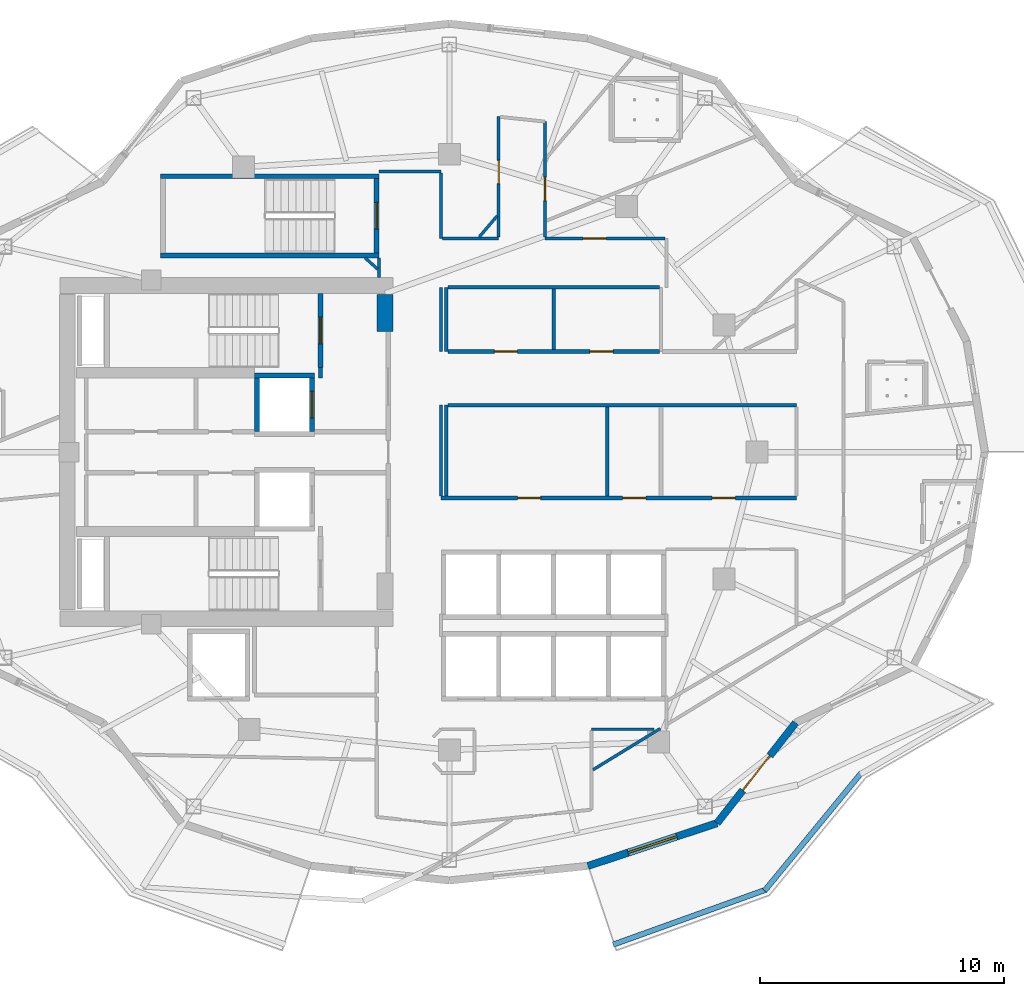
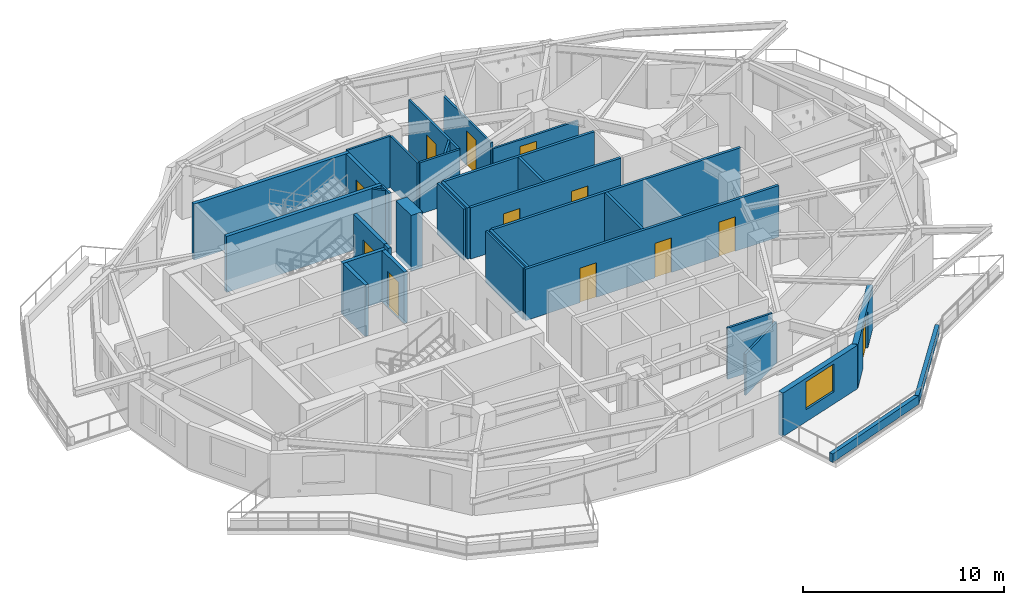
# One storey, part 5 of 10: 34 walls, 12 doors, 1 window, 13 openings.
"""IFC4 building model written with IfcOpenShell, lengths in metres."""

from ifc_helpers import new_model, si_unit, direction, frame, frame_2d, origin, place, context, subcontext, project, spatial, rectangle, extrude, material, layer, layer_set, type_object, element, fill, save


model = new_model("IFC4")

# Units and contexts
model_context = context("Model", 3, precision=1e-05, world=origin(), true_north=direction((0.0, 1.0)))
body_context = subcontext(model_context, "Body", "Model", "MODEL_VIEW")
ifc_project = project(units=[si_unit("LENGTHUNIT", "METRE"), si_unit("AREAUNIT", "SQUARE_METRE"), si_unit("VOLUMEUNIT", "CUBIC_METRE"), si_unit("PLANEANGLEUNIT", "RADIAN"), si_unit("MASSUNIT", "GRAM", prefix="KILO")], contexts=[model_context])

# Site, building, storey
site_placement = place(None, origin())
site = spatial("IfcSite", under=ifc_project, at=site_placement, CompositionType="ELEMENT")
building_placement = place(site_placement, origin())
building = spatial("IfcBuilding", under=site, at=building_placement, Name="Kolvaren Gate Tower and Convention Centre", CompositionType="ELEMENT")
storey_placement = place(building_placement, frame((0.0, 0.0, 146.10009765625)))
storey = spatial("IfcBuildingStorey", under=building, at=storey_placement, Name="L37", CompositionType="ELEMENT", Elevation=146.10009765625)

# Walls
ifc_material_1 = material(Name="Autoclaved Aerated Masonry Blockwork Class 4 (4.0 MPa)", Category="masonry")
ifc_layer_1 = layer(ifc_material_1, 0.179931640625)
ifc_layer_set_1 = layer_set([ifc_layer_1], Name="Autoclaved Aerated Masonry Blockwork Class 4 (4.0 MPa)")
wall_type_1 = type_object("IfcWallType", Name="ARCH-WL-COMP-180", PredefinedType="SOLIDWALL", material=ifc_layer_set_1)
wall_1_placement = place(storey_placement, frame((24.85009765625, 30.0400390625, 0.0), z_axis=(0.0, 0.0, 1.0), x_axis=(0.0, 1.0, 0.0)))
element("IfcWall", 1, at=wall_1_placement, inside=storey, type_object=wall_type_1, Name="Interior Partition WL-L37-INT-002", PredefinedType="SOLIDWALL", context=body_context, shape_type="SweptSolid", body=[
    extrude(rectangle(XDim=0.419921875, YDim=0.179931640625, at=frame_2d((0.2099609375, 0.0))), origin(), (0.0, 0.0, 1.0), 3.1298828125),
])
ifc_material_2 = material(Name="Fire-Rated Acoustic Gypsum Stud Partition", Category="gypsum")
ifc_layer_2 = layer(ifc_material_2, 0.1201171875)
ifc_layer_set_2 = layer_set([ifc_layer_2], Name="Fire-Rated Acoustic Gypsum Stud Partition")
wall_type_2 = type_object("IfcWallType", Name="ARCH-WL-PART-120", PredefinedType="PARTITIONING", material=ifc_layer_set_2)
wall_2_placement = place(storey_placement, frame((35.949951171875, 15.64990234375, 0.0), z_axis=(0.0, 0.0, 1.0), x_axis=(1.0, 0.0, 0.0)))
element("IfcWall", 2, at=wall_2_placement, inside=storey, type_object=wall_type_2, Name="Interior Partition WL-L37-INT-025", PredefinedType="PARTITIONING", context=body_context, shape_type="SweptSolid", body=[
    extrude(rectangle(XDim=2.568115234375, YDim=0.1201171875, at=frame_2d((1.2841796875, 0.0))), origin(), (0.0, 0.0, 1.0), 3.1298828125),
])
wall_3_placement = place(storey_placement, frame((27.25, 34.152099609375, 0.0), z_axis=(0.0, 0.0, 1.0), x_axis=(0.0, 1.0, 0.0)))
element("IfcWall", 3, at=wall_3_placement, inside=storey, type_object=wall_type_2, Name="Interior Partition WL-L37-INT-029", PredefinedType="PARTITIONING", context=body_context, shape_type="SweptSolid", body=[
    extrude(rectangle(XDim=0.805908203125, YDim=0.1201171875, at=frame_2d((0.40283203125, 0.0))), origin(), (0.0, 0.0, 1.0), 3.1298828125),
])
wall_4_placement = place(storey_placement, frame((27.25, 38.5, 0.0), z_axis=(0.0, 0.0, 1.0), x_axis=(1.0, 0.0, 0.0)))
element("IfcWall", 4, at=wall_4_placement, inside=storey, type_object=wall_type_2, Name="Interior Partition WL-L37-INT-030", PredefinedType="PARTITIONING", context=body_context, shape_type="SweptSolid", body=[
    extrude(rectangle(XDim=2.530029296875, YDim=0.1201171875, at=frame_2d((1.26513671875, 0.0))), origin(), (0.0, 0.0, 1.0), 3.1298828125),
])
wall_5_placement = place(storey_placement, frame((29.780029296875, 25.197021484375, 0.0), z_axis=(0.0, 0.0, 1.0), x_axis=(0.0, 1.0, 0.0)))
element("IfcWall", 5, at=wall_5_placement, inside=storey, type_object=wall_type_2, Name="Interior Partition WL-L37-INT-032", PredefinedType="PARTITIONING", context=body_context, shape_type="SweptSolid", body=[
    extrude(rectangle(XDim=3.722900390625, YDim=0.1201171875, at=frame_2d((1.861328125, 0.0))), origin(), (0.0, 0.0, 1.0), 3.1298828125),
])
wall_6_placement = place(storey_placement, frame((29.780029296875, 31.1201171875, 0.0), z_axis=(0.0, 0.0, 1.0), x_axis=(0.0, 1.0, 0.0)))
element("IfcWall", 6, at=wall_6_placement, inside=storey, type_object=wall_type_2, Name="Interior Partition WL-L37-INT-033", PredefinedType="PARTITIONING", context=body_context, shape_type="SweptSolid", body=[
    extrude(rectangle(XDim=2.6298828125, YDim=0.1201171875, at=frame_2d((1.31494140625, 0.0))), origin(), (0.0, 0.0, 1.0), 3.1298828125),
])
wall_7_placement = place(storey_placement, frame((29.780029296875, 35.75, 0.0), z_axis=(0.0, 0.0, 1.0), x_axis=(0.0, 1.0, 0.0)))
element("IfcWall", 7, at=wall_7_placement, inside=storey, type_object=wall_type_2, Name="Interior Partition WL-L37-INT-034", PredefinedType="PARTITIONING", context=body_context, shape_type="SweptSolid", body=[
    extrude(rectangle(XDim=2.68798828125, YDim=0.1201171875, at=frame_2d((1.343994140625, 0.0))), origin(), (0.0, 0.0, 1.0), 3.1298828125),
])
wall_8_placement = place(storey_placement, frame((29.842041015625, 35.75, 0.0), z_axis=(0.0, 0.0, 1.0), x_axis=(1.0, 0.0, 0.0)))
element("IfcWall", 8, at=wall_8_placement, inside=storey, type_object=wall_type_2, Name="Interior Partition WL-L37-INT-035", PredefinedType="PARTITIONING", context=body_context, shape_type="SweptSolid", body=[
    extrude(rectangle(XDim=2.307861328125, YDim=0.1201171875, at=frame_2d((1.15380859375, 0.0))), origin(), (0.0, 0.0, 1.0), 3.1298828125),
])

# Wall, opening, door
wall_9_placement = place(storey_placement, frame((34.050048828125, 35.75, 0.0), z_axis=(0.0, 0.0, 1.0), x_axis=(1.0, 0.0, 0.0)))
wall_9 = element("IfcWall", 9, at=wall_9_placement, inside=storey, type_object=wall_type_2, Name="Interior Partition WL-L37-INT-036", PredefinedType="PARTITIONING", context=body_context, shape_type="SweptSolid", body=[
    extrude(rectangle(XDim=4.907958984375, YDim=0.1201171875, at=frame_2d((2.4541015625, 0.0))), origin(), (0.0, 0.0, 1.0), 2.5048828125),
])
opening_1_placement = place(wall_9_placement, frame((1.55908203125, 0.0, 0.0)))
opening_1 = element("IfcOpeningElement", 10, at=opening_1_placement, cuts=wall_9, Name="Opening DR-01", PredefinedType="OPENING", context=body_context, shape_type="SweptSolid", body=[
    extrude(rectangle(XDim=0.949951171875, YDim=2.10009765625, at=frame_2d((0.47509765625, 1.050048828125))), frame((0.0, 0.070068359375, 0.0), z_axis=(0.0, -1.0, 0.0), x_axis=(1.0, 0.0, 0.0)), (0.0, 0.0, 1.0), 0.14013671875),
])
ifc_material_3 = material(Name="Painted Architectural Steelwork ASTM A500 Grade C 345 MPa", Category="steel")
door_type_1 = type_object("IfcDoorType", Name="ARCH-DR-RISER-950", OperationType="SINGLE_SWING_RIGHT", PredefinedType="DOOR", material=ifc_material_3)
door_1_placement = place(opening_1_placement, origin())
door_1 = element("IfcDoor", 11, at=door_1_placement, inside=storey, type_object=door_type_1, Name="Hotel Botanical Clubroom Door", OperationType="SINGLE_SWING_RIGHT", OverallHeight=2.10009765625, OverallWidth=0.949951171875, PredefinedType="DOOR", context=body_context, shape_type="SweptSolid", body=[
    extrude(rectangle(XDim=0.949951171875, YDim=2.10009765625, at=frame_2d((0.47509765625, 1.050048828125))), frame((0.0, 0.02490234375, 0.0), z_axis=(0.0, -1.0, 0.0), x_axis=(1.0, 0.0, 0.0)), (0.0, 0.0, 1.0), 0.050048828125),
])
fill(opening_1, door_1)

wall_10_placement = place(storey_placement, frame((32.14990234375, 35.81201171875, 0.0), z_axis=(0.0, 0.0, 1.0), x_axis=(0.0, 1.0, 0.0)))
wall_10 = element("IfcWall", 12, at=wall_10_placement, inside=storey, type_object=wall_type_2, Name="Interior Partition WL-L37-INT-037", PredefinedType="PARTITIONING", context=body_context, shape_type="SweptSolid", body=[
    extrude(rectangle(XDim=4.925048828125, YDim=0.1201171875, at=frame_2d((2.46240234375, 0.0))), origin(), (0.0, 0.0, 1.0), 3.1298828125),
])
opening_2_placement = place(wall_10_placement, frame((2.185302734375, 0.0, 0.0)))
opening_2 = element("IfcOpeningElement", 13, at=opening_2_placement, cuts=wall_10, Name="Opening DR-01", PredefinedType="OPENING", context=body_context, shape_type="SweptSolid", body=[
    extrude(rectangle(XDim=0.949951171875, YDim=2.10009765625, at=frame_2d((0.47509765625, 1.050048828125))), frame((0.0, 0.070068359375, 0.0), z_axis=(0.0, -1.0, 0.0), x_axis=(1.0, 0.0, 0.0)), (0.0, 0.0, 1.0), 0.14013671875),
])
door_2_placement = place(opening_2_placement, origin())
door_2 = element("IfcDoor", 14, at=door_2_placement, inside=storey, type_object=door_type_1, Name="Deluxe Hotel Suite (HTL-L37-10) Door", OperationType="SINGLE_SWING_RIGHT", OverallHeight=2.10009765625, OverallWidth=0.949951171875, PredefinedType="DOOR", context=body_context, shape_type="SweptSolid", body=[
    extrude(rectangle(XDim=0.949951171875, YDim=2.10009765625, at=frame_2d((0.47509765625, 1.050048828125))), frame((0.0, 0.02490234375, 0.0), z_axis=(0.0, -1.0, 0.0), x_axis=(1.0, 0.0, 0.0)), (0.0, 0.0, 1.0), 0.050048828125),
])
fill(opening_2, door_2)

wall_11_placement = place(storey_placement, frame((34.050048828125, 35.81201171875, 0.0), z_axis=(0.0, 0.0, 1.0), x_axis=(0.0, 1.0, 0.0)))
wall_11 = element("IfcWall", 15, at=wall_11_placement, inside=storey, type_object=wall_type_2, Name="Interior Partition WL-L37-INT-039", PredefinedType="PARTITIONING", context=body_context, shape_type="SweptSolid", body=[
    extrude(rectangle(XDim=4.72509765625, YDim=0.1201171875, at=frame_2d((2.362548828125, 0.0))), origin(), (0.0, 0.0, 1.0), 2.81201171875),
])
opening_3_placement = place(wall_11_placement, frame((1.48828125, 0.0, 0.0)))
opening_3 = element("IfcOpeningElement", 16, at=opening_3_placement, cuts=wall_11, Name="Opening DR-01", PredefinedType="OPENING", context=body_context, shape_type="SweptSolid", body=[
    extrude(rectangle(XDim=0.949951171875, YDim=2.10009765625, at=frame_2d((0.47509765625, 1.050048828125))), frame((0.0, 0.070068359375, 0.0), z_axis=(0.0, -1.0, 0.0), x_axis=(1.0, 0.0, 0.0)), (0.0, 0.0, 1.0), 0.14013671875),
])
door_3_placement = place(opening_3_placement, origin())
door_3 = element("IfcDoor", 17, at=door_3_placement, inside=storey, type_object=door_type_1, Name="Deluxe Hotel Suite (HTL-L37-09) Door", OperationType="SINGLE_SWING_LEFT", OverallHeight=2.10009765625, OverallWidth=0.949951171875, PredefinedType="DOOR", context=body_context, shape_type="SweptSolid", body=[
    extrude(rectangle(XDim=0.949951171875, YDim=2.10009765625, at=frame_2d((0.47509765625, 1.050048828125))), frame((0.0, 0.02490234375, 0.0), z_axis=(0.0, -1.0, 0.0), x_axis=(1.0, 0.0, 0.0)), (0.0, 0.0, 1.0), 0.050048828125),
])
fill(opening_3, door_3)

# Walls
wall_12_placement = place(storey_placement, frame((36.011962890625, 13.988037109375, 0.0), z_axis=(0.0, 0.0, 1.0), x_axis=(0.852640355982, 0.522498252008, 0.0)))
element("IfcWall", 18, at=wall_12_placement, inside=storey, type_object=wall_type_2, Name="Interior Partition WL-L37-INT-055", PredefinedType="PARTITIONING", context=body_context, shape_type="SweptSolid", body=[
    extrude(rectangle(XDim=3.230224609375, YDim=0.1201171875, at=frame_2d((1.615234375, 0.0))), origin(), (0.0, 0.0, 1.0), 2.5048828125),
])
wall_13_placement = place(storey_placement, frame((31.3525390625, 35.81201171875, 0.0), z_axis=(0.0, 0.0, 1.0), x_axis=(0.648023053701, 0.761620720485, 0.0)))
element("IfcWall", 19, at=wall_13_placement, inside=storey, type_object=wall_type_2, Name="Interior Partition WL-L37-INT-068", PredefinedType="PARTITIONING", context=body_context, shape_type="SweptSolid", body=[
    extrude(rectangle(XDim=1.134765625, YDim=0.1201171875, at=frame_2d((0.5673828125, 0.0))), origin(), (0.0, 0.0, 1.0), 3.1298828125),
])
wall_14_placement = place(storey_placement, frame((26.67822265625, 34.9580078125, 0.0), z_axis=(0.0, 0.0, 1.0), x_axis=(0.742975583244, -0.669318521112, 0.0)))
element("IfcWall", 20, at=wall_14_placement, inside=storey, type_object=wall_type_2, Name="Interior Partition WL-L37-INT-074", PredefinedType="PARTITIONING", context=body_context, shape_type="SweptSolid", body=[
    extrude(rectangle(XDim=0.68603515625, YDim=0.1201171875, at=frame_2d((0.343017578125, 0.0))), origin(), (0.0, 0.0, 1.0), 3.1298828125),
])
ifc_material_4 = material(Name="Piedmont Cream Honed Limestone Cladding", Category="masonry")
ifc_layer_3 = layer(ifc_material_4, 0.219970703125)
ifc_layer_set_3 = layer_set([ifc_layer_3], Name="Piedmont Cream Honed Limestone Cladding")
wall_type_3 = type_object("IfcWallType", Name="ARCH-WL-PLANTER-220", PredefinedType="PARAPET", material=ifc_layer_set_3)
wall_15_placement = place(storey_placement, frame((36.836669921875, 6.826171875, 0.0), z_axis=(0.0, 0.0, 1.0), x_axis=(0.940948576924, 0.338549517184, 0.0)))
element("IfcWall", 21, at=wall_15_placement, inside=storey, type_object=wall_type_3, Name="Vertical-Forest Balcony Stone Planter Kerb PK-L37-4.1", PredefinedType="PARAPET", context=body_context, shape_type="SweptSolid", body=[
    extrude(rectangle(XDim=6.6640625, YDim=0.219970703125, at=frame_2d((3.33203125, 0.0))), origin(), (0.0, 0.0, 1.0), 0.52001953125),
])
wall_16_placement = place(storey_placement, frame((43.0419921875, 9.03564453125, 0.0), z_axis=(0.0, 0.0, 1.0), x_axis=(0.634429234628, 0.77298094818, 0.0)))
element("IfcWall", 22, at=wall_16_placement, inside=storey, type_object=wall_type_3, Name="Vertical-Forest Balcony Stone Planter Kerb PK-L37-4.2", PredefinedType="PARAPET", context=body_context, shape_type="SweptSolid", body=[
    extrude(rectangle(XDim=6.244873046875, YDim=0.219970703125, at=frame_2d((3.12255859375, 0.0))), origin(), (0.0, 0.0, 1.0), 0.52001953125),
])
ifc_layer_4 = layer(ifc_material_1, 0.199951171875)
ifc_layer_set_4 = layer_set([ifc_layer_4], Name="Autoclaved Aerated Masonry Blockwork Class 4 (4.0 MPa)")
wall_type_4 = type_object("IfcWallType", Name="ARCH-WL-SHAFT-200", PredefinedType="SOLIDWALL", material=ifc_layer_set_4)
wall_17_placement = place(storey_placement, frame((22.14990234375, 30.139892578125, 0.0), z_axis=(0.0, 0.0, 1.0), x_axis=(1.0, 0.0, 0.0)))
element("IfcWall", 23, at=wall_17_placement, inside=storey, type_object=wall_type_4, Name="Elevator FF-01 L37 Fire Shaft Wall N", PredefinedType="SOLIDWALL", context=body_context, shape_type="SweptSolid", body=[
    extrude(rectangle(XDim=2.4501953125, YDim=0.199951171875, at=frame_2d((1.22509765625, 0.0))), origin(), (0.0, 0.0, 1.0), 3.1298828125),
])
wall_18_placement = place(storey_placement, frame((22.25, 27.85009765625, 0.0), z_axis=(0.0, 0.0, 1.0), x_axis=(0.0, 1.0, 0.0)))
element("IfcWall", 24, at=wall_18_placement, inside=storey, type_object=wall_type_4, Name="Elevator FF-01 L37 Fire Shaft Wall W", PredefinedType="SOLIDWALL", context=body_context, shape_type="SweptSolid", body=[
    extrude(rectangle(XDim=2.179931640625, YDim=0.199951171875, at=frame_2d((1.08984375, 0.0))), origin(), (0.0, 0.0, 1.0), 3.1298828125),
])

# Wall, opening, door
wall_19_placement = place(storey_placement, frame((24.5, 27.85009765625, 0.0), z_axis=(0.0, 0.0, 1.0), x_axis=(0.0, 1.0, 0.0)))
wall_19 = element("IfcWall", 25, at=wall_19_placement, inside=storey, type_object=wall_type_4, Name="Elevator FF-01 L37 Fire Shaft Wall E", PredefinedType="SOLIDWALL", context=body_context, shape_type="SweptSolid", body=[
    extrude(rectangle(XDim=2.179931640625, YDim=0.199951171875, at=frame_2d((1.08984375, 0.0))), origin(), (0.0, 0.0, 1.0), 3.1298828125),
])
opening_4_placement = place(wall_19_placement, frame((0.5400390625, 0.0, 0.0)))
opening_4 = element("IfcOpeningElement", 26, at=opening_4_placement, cuts=wall_19, Name="Opening LD", PredefinedType="OPENING", context=body_context, shape_type="SweptSolid", body=[
    extrude(rectangle(XDim=1.10009765625, YDim=2.199951171875, at=frame_2d((0.550048828125, 1.10009765625))), frame((0.0, 0.10986328125, 0.0), z_axis=(0.0, -1.0, 0.0), x_axis=(1.0, 0.0, 0.0)), (0.0, 0.0, 1.0), 0.219970703125),
])
ifc_material_5 = material(Name="Brushed Stainless Steel Grade 316L", Category="steel")
door_type_2 = type_object("IfcDoorType", Name="ARCH-DR-LIFT-1100", OperationType="SLIDING_TO_LEFT", PredefinedType="DOOR", material=ifc_material_5)
door_4_placement = place(opening_4_placement, origin())
door_4 = element("IfcDoor", 27, at=door_4_placement, inside=storey, type_object=door_type_2, Name="Elevator FF-01 L37 Sliding Landing Door", OperationType="SLIDING_TO_LEFT", OverallHeight=2.199951171875, OverallWidth=1.10009765625, PredefinedType="DOOR", context=body_context, shape_type="SweptSolid", body=[
    extrude(rectangle(XDim=1.10009765625, YDim=2.199951171875, at=frame_2d((0.550048828125, 1.10009765625))), frame((0.0, 0.02490234375, 0.0), z_axis=(0.0, -1.0, 0.0), x_axis=(1.0, 0.0, 0.0)), (0.0, 0.0, 1.0), 0.050048828125),
])
fill(opening_4, door_4)

# Wall, opening, window
ifc_layer_5 = layer(ifc_material_4, 0.300048828125)
ifc_layer_set_5 = layer_set([ifc_layer_5], Name="Piedmont Cream Honed Limestone Cladding")
wall_type_5 = type_object("IfcWallType", Name="ARCH-WL-STONE-300", PredefinedType="SOLIDWALL", material=ifc_layer_set_5)
wall_20_placement = place(storey_placement, frame((35.802734375, 10.048095703125, 0.0), z_axis=(0.0, 0.0, 1.0), x_axis=(0.949246811547, 0.314532177636, 0.0)))
wall_20 = element("IfcWall", 28, at=wall_20_placement, inside=storey, type_object=wall_type_5, Name="Tower L37 Honed Stone Spandrel Wall EW-19", PredefinedType="SOLIDWALL", context=body_context, shape_type="SweptSolid", body=[
    extrude(rectangle(XDim=5.573974609375, YDim=0.300048828125, at=frame_2d((2.787109375, 0.0))), origin(), (0.0, 0.0, 1.0), 2.65283203125),
])
opening_5_placement = place(wall_20_placement, frame((1.737060546875, 0.0, 0.739990234375)))
opening_5 = element("IfcOpeningElement", 29, at=opening_5_placement, cuts=wall_20, Name="Opening W-02", PredefinedType="OPENING", context=body_context, shape_type="SweptSolid", body=[
    extrude(rectangle(XDim=2.10009765625, YDim=1.699951171875, at=frame_2d((1.050048828125, 0.85009765625))), frame((0.0, 0.159912109375, 0.0), z_axis=(0.0, -1.0, 0.0), x_axis=(1.0, 0.0, 0.0)), (0.0, 0.0, 1.0), 0.320068359375),
])
ifc_material_6 = material(Name="Low-E Triple Insulated Glazing Unit 44 mm", Category="glass")
window_type = type_object("IfcWindowType", Name="ARCH-WN-HTL-2100", PartitioningType="SINGLE_PANEL", PredefinedType="WINDOW", material=ifc_material_6)
window_placement = place(opening_5_placement, origin())
window = element("IfcWindow", 30, at=window_placement, inside=storey, type_object=window_type, Name="Tower L37 Punched Stone Facade Window W-19", OverallHeight=1.699951171875, OverallWidth=2.10009765625, PartitioningType="SINGLE_PANEL", PredefinedType="WINDOW", context=body_context, shape_type="SweptSolid", body=[
    extrude(rectangle(XDim=2.10009765625, YDim=1.699951171875, at=frame_2d((1.050048828125, 0.85009765625))), frame((0.0, 0.030029296875, 0.0), z_axis=(0.0, -1.0, 0.0), x_axis=(1.0, 0.0, 0.0)), (0.0, 0.0, 1.0), 0.06005859375),
])
fill(opening_5, window)

# Wall, opening, door
wall_21_placement = place(storey_placement, frame((41.09375, 11.80126953125, 0.0), z_axis=(0.0, 0.0, 1.0), x_axis=(0.616429245738, 0.787410302828, 0.0)))
wall_21 = element("IfcWall", 31, at=wall_21_placement, inside=storey, type_object=wall_type_5, Name="Tower L37 Honed Stone Spandrel Wall EW-20", PredefinedType="SOLIDWALL", context=body_context, shape_type="SweptSolid", body=[
    extrude(rectangle(XDim=5.22314453125, YDim=0.300048828125, at=frame_2d((2.611572265625, 0.0))), origin(), (0.0, 0.0, 1.0), 2.65283203125),
])
opening_6_placement = place(wall_21_placement, frame((1.7119140625, 0.0, 0.0)))
opening_6 = element("IfcOpeningElement", 32, at=opening_6_placement, cuts=wall_21, Name="Opening DB-01", PredefinedType="OPENING", context=body_context, shape_type="SweptSolid", body=[
    extrude(rectangle(XDim=1.800048828125, YDim=2.25, at=frame_2d((0.89990234375, 1.125))), frame((0.0, 0.159912109375, 0.0), z_axis=(0.0, -1.0, 0.0), x_axis=(1.0, 0.0, 0.0)), (0.0, 0.0, 1.0), 0.320068359375),
])
ifc_material_7 = material(Name="Anodized Architectural Aluminium Alloy 6063-T6", Category="aluminium")
door_type_3 = type_object("IfcDoorType", Name="ARCH-DR-BALC-1800", OperationType="SLIDING_TO_LEFT", PredefinedType="DOOR", material=ifc_material_7)
door_5_placement = place(opening_6_placement, frame((1.800048828125, 0.0, 0.0), z_axis=(0.0, 0.0, 1.0), x_axis=(-1.0, 0.0, 0.0)))
door_5 = element("IfcDoor", 33, at=door_5_placement, inside=storey, type_object=door_type_3, Name="Planted Sky Terrace Access Door DB-L37-20", OperationType="SLIDING_TO_LEFT", OverallHeight=2.25, OverallWidth=1.800048828125, PredefinedType="DOOR", context=body_context, shape_type="SweptSolid", body=[
    extrude(rectangle(XDim=1.800048828125, YDim=2.25, at=frame_2d((0.89990234375, 1.125))), frame((0.0, 0.02490234375, 0.0), z_axis=(0.0, -1.0, 0.0), x_axis=(1.0, 0.0, 0.0)), (0.0, 0.0, 1.0), 0.050048828125),
])
fill(opening_6, door_5)

# Wall, openings, doors
ifc_material_8 = material(Name="Moisture-Resistant Cement-Board Acoustic Partition", Category="gypsum")
ifc_layer_6 = layer(ifc_material_8, 0.14990234375)
ifc_layer_set_6 = layer_set([ifc_layer_6], Name="Moisture-Resistant Cement-Board Acoustic Partition")
wall_type_6 = type_object("IfcWallType", Name="ARCH-WL-WET-150", PredefinedType="PARTITIONING", material=ifc_layer_set_6)
wall_22_placement = place(storey_placement, frame((29.780029296875, 25.1201171875, 0.0), z_axis=(0.0, 0.0, 1.0), x_axis=(1.0, 0.0, 0.0)))
wall_22 = element("IfcWall", 34, at=wall_22_placement, inside=storey, type_object=wall_type_6, Name="Interior Partition WL-L37-INT-012", PredefinedType="PARTITIONING", context=body_context, shape_type="SweptSolid", body=[
    extrude(rectangle(XDim=14.570068359375, YDim=0.14990234375, at=frame_2d((7.28515625, 0.0))), origin(), (0.0, 0.0, 1.0), 3.1298828125),
])
opening_7_placement = place(wall_22_placement, frame((3.139892578125, 0.0, 0.0)))
opening_7 = element("IfcOpeningElement", 35, at=opening_7_placement, cuts=wall_22, Name="Opening DR-01", PredefinedType="OPENING", context=body_context, shape_type="SweptSolid", body=[
    extrude(rectangle(XDim=0.949951171875, YDim=2.10009765625, at=frame_2d((0.47509765625, 1.050048828125))), frame((0.0, 0.0849609375, 0.0), z_axis=(0.0, -1.0, 0.0), x_axis=(1.0, 0.0, 0.0)), (0.0, 0.0, 1.0), 0.169921875),
])
opening_8_placement = place(wall_22_placement, frame((7.445068359375, 0.0, 0.0)))
opening_8 = element("IfcOpeningElement", 36, at=opening_8_placement, cuts=wall_22, Name="Opening DR-01", PredefinedType="OPENING", context=body_context, shape_type="SweptSolid", body=[
    extrude(rectangle(XDim=0.949951171875, YDim=2.10009765625, at=frame_2d((0.47509765625, 1.050048828125))), frame((0.0, 0.0849609375, 0.0), z_axis=(0.0, -1.0, 0.0), x_axis=(1.0, 0.0, 0.0)), (0.0, 0.0, 1.0), 0.169921875),
])
opening_9_placement = place(wall_22_placement, frame((11.114990234375, 0.0, 0.0)))
opening_9 = element("IfcOpeningElement", 37, at=opening_9_placement, cuts=wall_22, Name="Opening DR-01", PredefinedType="OPENING", context=body_context, shape_type="SweptSolid", body=[
    extrude(rectangle(XDim=0.949951171875, YDim=2.10009765625, at=frame_2d((0.47509765625, 1.050048828125))), frame((0.0, 0.0849609375, 0.0), z_axis=(0.0, -1.0, 0.0), x_axis=(1.0, 0.0, 0.0)), (0.0, 0.0, 1.0), 0.169921875),
])
door_6_placement = place(opening_7_placement, origin())
door_6 = element("IfcDoor", 38, at=door_6_placement, inside=storey, type_object=door_type_1, Name="Accessible Universal Washroom Door", OperationType="SINGLE_SWING_LEFT", OverallHeight=2.10009765625, OverallWidth=0.949951171875, PredefinedType="DOOR", context=body_context, shape_type="SweptSolid", body=[
    extrude(rectangle(XDim=0.949951171875, YDim=2.10009765625, at=frame_2d((0.47509765625, 1.050048828125))), frame((0.0, 0.02490234375, 0.0), z_axis=(0.0, -1.0, 0.0), x_axis=(1.0, 0.0, 0.0)), (0.0, 0.0, 1.0), 0.050048828125),
])
fill(opening_7, door_6)
door_7_placement = place(opening_8_placement, origin())
door_7 = element("IfcDoor", 39, at=door_7_placement, inside=storey, type_object=door_type_1, Name="Hotel Housekeeping and Linen Store Door", OperationType="SINGLE_SWING_RIGHT", OverallHeight=2.10009765625, OverallWidth=0.949951171875, PredefinedType="DOOR", context=body_context, shape_type="SweptSolid", body=[
    extrude(rectangle(XDim=0.949951171875, YDim=2.10009765625, at=frame_2d((0.47509765625, 1.050048828125))), frame((0.0, 0.02490234375, 0.0), z_axis=(0.0, -1.0, 0.0), x_axis=(1.0, 0.0, 0.0)), (0.0, 0.0, 1.0), 0.050048828125),
])
fill(opening_8, door_7)
door_8_placement = place(opening_9_placement, origin())
door_8 = element("IfcDoor", 40, at=door_8_placement, inside=storey, type_object=door_type_1, Name="Hotel Botanical Clubroom Door", OperationType="SINGLE_SWING_RIGHT", OverallHeight=2.10009765625, OverallWidth=0.949951171875, PredefinedType="DOOR", context=body_context, shape_type="SweptSolid", body=[
    extrude(rectangle(XDim=0.949951171875, YDim=2.10009765625, at=frame_2d((0.47509765625, 1.050048828125))), frame((0.0, 0.02490234375, 0.0), z_axis=(0.0, -1.0, 0.0), x_axis=(1.0, 0.0, 0.0)), (0.0, 0.0, 1.0), 0.050048828125),
])
fill(opening_9, door_8)

# Walls
wall_23_placement = place(storey_placement, frame((30.0, 25.197021484375, 0.0), z_axis=(0.0, 0.0, 1.0), x_axis=(0.0, 1.0, 0.0)))
element("IfcWall", 41, at=wall_23_placement, inside=storey, type_object=wall_type_6, Name="Interior Partition WL-L37-INT-013", PredefinedType="PARTITIONING", context=body_context, shape_type="SweptSolid", body=[
    extrude(rectangle(XDim=3.722900390625, YDim=0.14990234375, at=frame_2d((1.861328125, 0.0))), origin(), (0.0, 0.0, 1.0), 3.1298828125),
])
wall_24_placement = place(storey_placement, frame((30.0, 31.1201171875, 0.0), z_axis=(0.0, 0.0, 1.0), x_axis=(0.0, 1.0, 0.0)))
element("IfcWall", 42, at=wall_24_placement, inside=storey, type_object=wall_type_6, Name="Interior Partition WL-L37-INT-014", PredefinedType="PARTITIONING", context=body_context, shape_type="SweptSolid", body=[
    extrude(rectangle(XDim=2.6298828125, YDim=0.14990234375, at=frame_2d((1.31494140625, 0.0))), origin(), (0.0, 0.0, 1.0), 3.1298828125),
])
wall_25_placement = place(storey_placement, frame((30.076904296875, 28.919921875, 0.0), z_axis=(0.0, 0.0, 1.0), x_axis=(1.0, 0.0, 0.0)))
element("IfcWall", 43, at=wall_25_placement, inside=storey, type_object=wall_type_6, Name="Interior Partition WL-L37-INT-015", PredefinedType="PARTITIONING", context=body_context, shape_type="SweptSolid", body=[
    extrude(rectangle(XDim=14.273193359375, YDim=0.14990234375, at=frame_2d((7.13671875, 0.0))), origin(), (0.0, 0.0, 1.0), 3.1298828125),
])
wall_26_placement = place(storey_placement, frame((36.60009765625, 25.197021484375, 0.0), z_axis=(0.0, 0.0, 1.0), x_axis=(0.0, 1.0, 0.0)))
element("IfcWall", 44, at=wall_26_placement, inside=storey, type_object=wall_type_6, Name="Interior Partition WL-L37-INT-016", PredefinedType="PARTITIONING", context=body_context, shape_type="SweptSolid", body=[
    extrude(rectangle(XDim=3.64599609375, YDim=0.14990234375, at=frame_2d((1.822998046875, 0.0))), origin(), (0.0, 0.0, 1.0), 3.1298828125),
])

# Wall, openings, doors
wall_27_placement = place(storey_placement, frame((30.076904296875, 31.1201171875, 0.0), z_axis=(0.0, 0.0, 1.0), x_axis=(1.0, 0.0, 0.0)))
wall_27 = element("IfcWall", 45, at=wall_27_placement, inside=storey, type_object=wall_type_6, Name="Interior Partition WL-L37-INT-019", PredefinedType="PARTITIONING", context=body_context, shape_type="SweptSolid", body=[
    extrude(rectangle(XDim=8.6611328125, YDim=0.14990234375, at=frame_2d((4.33056640625, 0.0))), origin(), (0.0, 0.0, 1.0), 3.1298828125),
])
opening_10_placement = place(wall_27_placement, frame((1.8916015625, 0.0, 0.0)))
opening_10 = element("IfcOpeningElement", 46, at=opening_10_placement, cuts=wall_27, Name="Opening DR-01", PredefinedType="OPENING", context=body_context, shape_type="SweptSolid", body=[
    extrude(rectangle(XDim=0.949951171875, YDim=2.10009765625, at=frame_2d((0.47509765625, 1.050048828125))), frame((0.0, 0.0849609375, 0.0), z_axis=(0.0, -1.0, 0.0), x_axis=(1.0, 0.0, 0.0)), (0.0, 0.0, 1.0), 0.169921875),
])
opening_11_placement = place(wall_27_placement, frame((5.81201171875, 0.0, 0.0)))
opening_11 = element("IfcOpeningElement", 47, at=opening_11_placement, cuts=wall_27, Name="Opening DR-01", PredefinedType="OPENING", context=body_context, shape_type="SweptSolid", body=[
    extrude(rectangle(XDim=0.949951171875, YDim=2.10009765625, at=frame_2d((0.47509765625, 1.050048828125))), frame((0.0, 0.0849609375, 0.0), z_axis=(0.0, -1.0, 0.0), x_axis=(1.0, 0.0, 0.0)), (0.0, 0.0, 1.0), 0.169921875),
])
door_9_placement = place(opening_10_placement, origin())
door_9 = element("IfcDoor", 48, at=door_9_placement, inside=storey, type_object=door_type_1, Name="Valet and Linen Store Door", OperationType="SINGLE_SWING_LEFT", OverallHeight=2.10009765625, OverallWidth=0.949951171875, PredefinedType="DOOR", context=body_context, shape_type="SweptSolid", body=[
    extrude(rectangle(XDim=0.949951171875, YDim=2.10009765625, at=frame_2d((0.47509765625, 1.050048828125))), frame((0.0, 0.02490234375, 0.0), z_axis=(0.0, -1.0, 0.0), x_axis=(1.0, 0.0, 0.0)), (0.0, 0.0, 1.0), 0.050048828125),
])
fill(opening_10, door_9)
door_10_placement = place(opening_11_placement, origin())
door_10 = element("IfcDoor", 49, at=door_10_placement, inside=storey, type_object=door_type_1, Name="Ice and Beverage Pantry Door", OperationType="SINGLE_SWING_RIGHT", OverallHeight=2.10009765625, OverallWidth=0.949951171875, PredefinedType="DOOR", context=body_context, shape_type="SweptSolid", body=[
    extrude(rectangle(XDim=0.949951171875, YDim=2.10009765625, at=frame_2d((0.47509765625, 1.050048828125))), frame((0.0, 0.02490234375, 0.0), z_axis=(0.0, -1.0, 0.0), x_axis=(1.0, 0.0, 0.0)), (0.0, 0.0, 1.0), 0.050048828125),
])
fill(opening_11, door_10)

# Walls
wall_28_placement = place(storey_placement, frame((30.076904296875, 33.75, 0.0), z_axis=(0.0, 0.0, 1.0), x_axis=(1.0, 0.0, 0.0)))
element("IfcWall", 50, at=wall_28_placement, inside=storey, type_object=wall_type_6, Name="Interior Partition WL-L37-INT-020", PredefinedType="PARTITIONING", context=body_context, shape_type="SweptSolid", body=[
    extrude(rectangle(XDim=8.6611328125, YDim=0.14990234375, at=frame_2d((4.33056640625, 0.0))), origin(), (0.0, 0.0, 1.0), 3.1298828125),
])
wall_29_placement = place(storey_placement, frame((34.39990234375, 31.197021484375, 0.0), z_axis=(0.0, 0.0, 1.0), x_axis=(0.0, 1.0, 0.0)))
element("IfcWall", 51, at=wall_29_placement, inside=storey, type_object=wall_type_6, Name="Interior Partition WL-L37-INT-021", PredefinedType="PARTITIONING", context=body_context, shape_type="SweptSolid", body=[
    extrude(rectangle(XDim=2.47607421875, YDim=0.14990234375, at=frame_2d((1.238037109375, 0.0))), origin(), (0.0, 0.0, 1.0), 3.1298828125),
])
ifc_material_9 = material(Name="Concrete C60/75", Category="concrete")
ifc_layer_7 = layer(ifc_material_9, 0.64990234375)
ifc_layer_set_7 = layer_set([ifc_layer_7], Name="Concrete C60/75")
wall_type_7 = type_object("IfcWallType", Name="STR-WL-CORE-650", PredefinedType="SHEAR", material=ifc_layer_set_7)
wall_30_placement = place(storey_placement, frame((27.5, 31.949951171875, -0.27001953125), z_axis=(0.0, 0.0, 1.0), x_axis=(0.0, 1.0, 0.0)))
element("IfcWall", 52, at=wall_30_placement, inside=storey, type_object=wall_type_7, Name="Tower L37 Offset Core Shear Wall EN", PredefinedType="SHEAR", context=body_context, shape_type="SweptSolid", body=[
    extrude(rectangle(XDim=1.5, YDim=0.64990234375, at=frame_2d((0.75, 0.0))), origin(), (0.0, 0.0, 1.0), 3.39990234375),
])

# Wall, opening, door
ifc_material_10 = material(Name="Concrete C50/60", Category="concrete")
ifc_layer_8 = layer(ifc_material_10, 0.199951171875)
ifc_layer_set_8 = layer_set([ifc_layer_8], Name="Concrete C50/60")
wall_type_8 = type_object("IfcWallType", Name="STR-WL-SHAFT-200", PredefinedType="SHEAR", material=ifc_layer_set_8)
wall_31_placement = place(storey_placement, frame((24.85009765625, 30.4599609375, -0.27001953125), z_axis=(0.0, 0.0, 1.0), x_axis=(0.0, 1.0, 0.0)))
wall_31 = element("IfcWall", 53, at=wall_31_placement, inside=storey, type_object=wall_type_8, Name="Tower North Exit Stair ST-T1 L37 Structural Shear Enclosure Wall NEAR", PredefinedType="SHEAR", context=body_context, shape_type="SweptSolid", body=[
    extrude(rectangle(XDim=3.0380859375, YDim=0.199951171875, at=frame_2d((1.51904296875, 0.0))), origin(), (0.0, 0.0, 1.0), 3.39990234375),
])
opening_12_placement = place(wall_31_placement, frame((0.968994140625, 0.0, 0.27001953125)))
opening_12 = element("IfcOpeningElement", 54, at=opening_12_placement, cuts=wall_31, Name="Opening DS-01", PredefinedType="OPENING", context=body_context, shape_type="SweptSolid", body=[
    extrude(rectangle(XDim=1.10009765625, YDim=2.14990234375, at=frame_2d((0.550048828125, 1.074951171875))), frame((0.0, 0.10986328125, 0.0), z_axis=(0.0, -1.0, 0.0), x_axis=(1.0, 0.0, 0.0)), (0.0, 0.0, 1.0), 0.219970703125),
])
door_type_4 = type_object("IfcDoorType", Name="ARCH-DR-STAIR-1100", OperationType="SINGLE_SWING_LEFT", PredefinedType="DOOR", material=ifc_material_3)
door_11_placement = place(opening_12_placement, origin())
door_11 = element("IfcDoor", 55, at=door_11_placement, inside=storey, type_object=door_type_4, Name="Tower North Exit Stair ST-T1 L37 Fire Exit Stair Door", OperationType="SINGLE_SWING_LEFT", OverallHeight=2.14990234375, OverallWidth=1.10009765625, PredefinedType="DOOR", context=body_context, shape_type="SweptSolid", body=[
    extrude(rectangle(XDim=1.10009765625, YDim=2.14990234375, at=frame_2d((0.550048828125, 1.074951171875))), frame((0.0, 0.02490234375, 0.0), z_axis=(0.0, -1.0, 0.0), x_axis=(1.0, 0.0, 0.0)), (0.0, 0.0, 1.0), 0.050048828125),
])
fill(opening_12, door_11)

wall_32_placement = place(storey_placement, frame((27.14990234375, 35.159912109375, -0.27001953125), z_axis=(0.0, 0.0, 1.0), x_axis=(0.0, 1.0, 0.0)))
wall_32 = element("IfcWall", 56, at=wall_32_placement, inside=storey, type_object=wall_type_8, Name="Tower Mid-Zone Exit Stair ST-T3 L37 Structural Shear Enclosure Wall NEAR", PredefinedType="SHEAR", context=body_context, shape_type="SweptSolid", body=[
    extrude(rectangle(XDim=3.0400390625, YDim=0.199951171875, at=frame_2d((1.52001953125, 0.0))), origin(), (0.0, 0.0, 1.0), 3.39990234375),
])
opening_13_placement = place(wall_32_placement, frame((0.969970703125, 0.0, 0.27001953125)))
opening_13 = element("IfcOpeningElement", 57, at=opening_13_placement, cuts=wall_32, Name="Opening DS-01", PredefinedType="OPENING", context=body_context, shape_type="SweptSolid", body=[
    extrude(rectangle(XDim=1.10009765625, YDim=2.14990234375, at=frame_2d((0.550048828125, 1.074951171875))), frame((0.0, 0.10986328125, 0.0), z_axis=(0.0, -1.0, 0.0), x_axis=(1.0, 0.0, 0.0)), (0.0, 0.0, 1.0), 0.219970703125),
])
door_12_placement = place(opening_13_placement, origin())
door_12 = element("IfcDoor", 58, at=door_12_placement, inside=storey, type_object=door_type_4, Name="Tower Mid-Zone Exit Stair ST-T3 L37 Fire Exit Stair Door", OperationType="SINGLE_SWING_LEFT", OverallHeight=2.14990234375, OverallWidth=1.10009765625, PredefinedType="DOOR", context=body_context, shape_type="SweptSolid", body=[
    extrude(rectangle(XDim=1.10009765625, YDim=2.14990234375, at=frame_2d((0.550048828125, 1.074951171875))), frame((0.0, 0.02490234375, 0.0), z_axis=(0.0, -1.0, 0.0), x_axis=(1.0, 0.0, 0.0)), (0.0, 0.0, 1.0), 0.050048828125),
])
fill(opening_13, door_12)

# Walls
for number, where, z_axis, x_axis, name in (
    (59, (18.300048828125, 38.300048828125, -0.27001953125), (0.0, 0.0, 1.0), (1.0, 0.0, 0.0), "Tower Mid-Zone Exit Stair ST-T3 L37 Structural Shear Enclosure Wall LEFT"),
    (60, (18.300048828125, 35.06005859375, -0.27001953125), (0.0, 0.0, 1.0), (1.0, 0.0, 0.0), "Tower Mid-Zone Exit Stair ST-T3 L37 Structural Shear Enclosure Wall RGHT"),
):
    element("IfcWall", number, at=place(storey_placement, frame(where, z_axis=z_axis, x_axis=x_axis)), inside=storey, type_object=wall_type_8, Name=name, PredefinedType="SHEAR", context=body_context, shape_type="SweptSolid", body=[
        extrude(rectangle(XDim=8.949951171875, YDim=0.199951171875, at=frame_2d((4.47509765625, 0.0))), origin(), (0.0, 0.0, 1.0), 3.39990234375),
    ])

save(model, "model.ifc")
